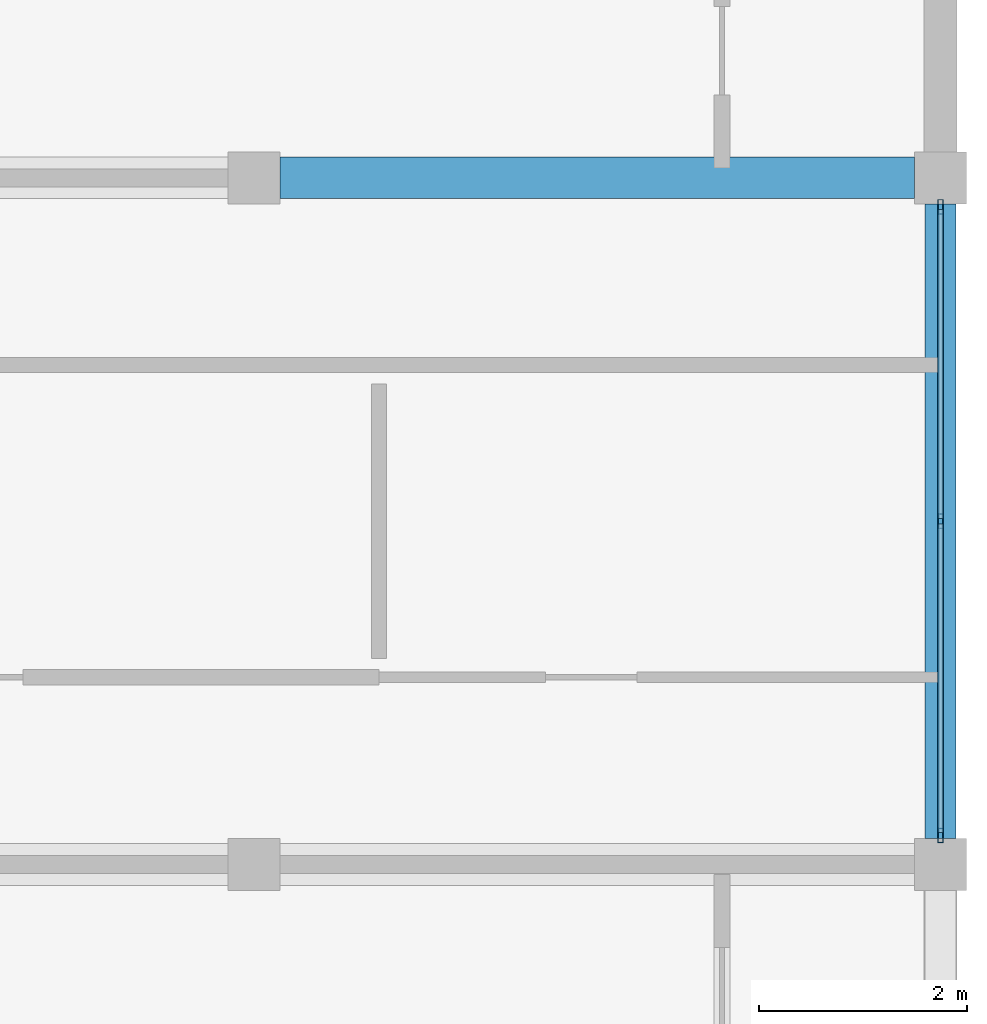
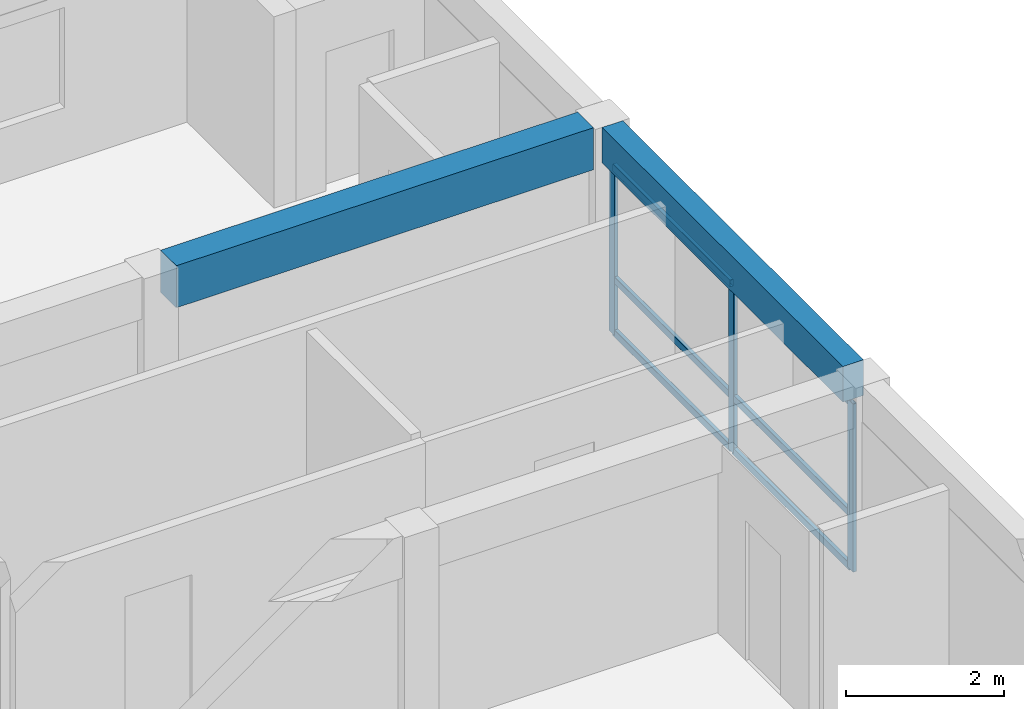
# One storey, part 21 of 45: 9 members, 2 beams, 1 element without a shape of its own.
"""IFC4 building model written with IfcOpenShell, lengths in metres."""

from ifc_helpers import new_model, si_unit, direction, frame, origin, origin_2d, place, context, subcontext, project, spatial, rectangle, hollow_rectangle, extrude, material, material_profile, profile_set, type_object, element, aggregate, save


model = new_model("IFC4")

# Units and contexts
model_context = context("Model", 3, precision=1e-05, world=origin(), true_north=direction((0.0, 1.0)))
body_context = subcontext(model_context, "Body", "Model", "MODEL_VIEW")
ifc_project = project(units=[si_unit("LENGTHUNIT", "METRE"), si_unit("AREAUNIT", "SQUARE_METRE"), si_unit("VOLUMEUNIT", "CUBIC_METRE"), si_unit("PLANEANGLEUNIT", "RADIAN"), si_unit("MASSUNIT", "GRAM", prefix="KILO")], contexts=[model_context])

# Site, building, storey
site_placement = place(None, origin())
site = spatial("IfcSite", under=ifc_project, at=site_placement, CompositionType="ELEMENT")
building_placement = place(site_placement, origin())
building = spatial("IfcBuilding", under=site, at=building_placement, Name="Kernevlak Ridge Housing Community", CompositionType="ELEMENT")
storey_placement = place(building_placement, frame((0.0, 0.0, 21.199951171875)))
storey = spatial("IfcBuildingStorey", under=building, at=storey_placement, Name="L06", CompositionType="ELEMENT", Elevation=21.199951171875)

# Beam
ifc_material_1 = material(Name="Concrete C35/45", Category="concrete")
ifc_material_profile_1 = material_profile(ifc_material_1, rectangle(XDim=0.39990234375, YDim=0.64990234375, at=origin_2d()), Name="RC 400x650")
ifc_profile_set_1 = profile_set([ifc_material_profile_1], Name="Concrete C35/45")
beam_type_1 = type_object("IfcBeamType", Name="B-03", PredefinedType="T_BEAM", material=ifc_profile_set_1)
beam_1_placement = place(storey_placement, frame((146.050048828125, 95.800048828125, 2.875), z_axis=(1.0, 0.0, 0.0), x_axis=(0.0, 1.0, 0.0)))
element("IfcBeam", 1, at=beam_1_placement, inside=storey, type_object=beam_type_1, Name="Beam B-03 L06 747", PredefinedType="T_BEAM", context=body_context, shape_type="SweptSolid", body=[
    extrude(rectangle(XDim=0.39990234375, YDim=0.64990234375, at=origin_2d()), origin(), (0.0, 0.0, 1.0), 6.099853515625),
])

# Curtain wall, members
ifc_material_2 = material(Name="Aluminium EN AW-6060 anodised and laminated glass", Category="aluminium")
curtain_wall_type = type_object("IfcCurtainWallType", Name="CW-14", PredefinedType="NOTDEFINED", material=ifc_material_2)
curtain_wall_placement = place(storey_placement, origin())
curtain_wall = element("IfcCurtainWall", 2, at=curtain_wall_placement, inside=storey, type_object=curtain_wall_type, Name="Curtain wall CW-14 CW-L06-075", PredefinedType="NOTDEFINED")
ifc_material_3 = material(Name="Aluminium EN AW-6060 anodised", Category="aluminium")
ifc_material_profile_2 = material_profile(ifc_material_3, hollow_rectangle(XDim=0.054931640625, YDim=0.139892578125, WallThickness=0.00390625, InnerFilletRadius=0.001953125, OuterFilletRadius=0.00390625, at=origin_2d()), Name="ALU 55x140x4")
ifc_profile_set_2 = profile_set([ifc_material_profile_2], Name="Aluminium EN AW-6060 anodised")
member_type_1 = type_object("IfcMemberType", Name="MU-01", PredefinedType="MULLION", material=ifc_profile_set_2)
member_1_placement = place(storey_placement, frame((152.39990234375, 89.4775390625, 0.0), z_axis=(0.0, 0.0, 1.0), x_axis=(-1.0, 0.0, 0.0)))
member_1 = element("IfcMember", 3, at=member_1_placement, type_object=member_type_1, Name="CW-14 mullion 1", PredefinedType="MULLION", context=body_context, shape_type="SweptSolid", body=[
    extrude(hollow_rectangle(XDim=0.054931640625, YDim=0.139892578125, WallThickness=0.00390625, InnerFilletRadius=0.001953125, OuterFilletRadius=0.00390625, at=origin_2d()), origin(), (0.0, 0.0, 1.0), 2.60009765625),
])
member_2_placement = place(storey_placement, frame((152.39990234375, 92.5, 0.0), z_axis=(0.0, 0.0, 1.0), x_axis=(-1.0, 0.0, 0.0)))
member_2 = element("IfcMember", 4, at=member_2_placement, type_object=member_type_1, Name="CW-14 mullion 2", PredefinedType="MULLION", context=body_context, shape_type="SweptSolid", body=[
    extrude(hollow_rectangle(XDim=0.054931640625, YDim=0.139892578125, WallThickness=0.00390625, InnerFilletRadius=0.001953125, OuterFilletRadius=0.00390625, at=origin_2d()), origin(), (0.0, 0.0, 1.0), 2.60009765625),
])
member_3_placement = place(storey_placement, frame((152.39990234375, 95.5224609375, 0.0), z_axis=(0.0, 0.0, 1.0), x_axis=(-1.0, 0.0, 0.0)))
member_3 = element("IfcMember", 5, at=member_3_placement, type_object=member_type_1, Name="CW-14 mullion 3", PredefinedType="MULLION", context=body_context, shape_type="SweptSolid", body=[
    extrude(hollow_rectangle(XDim=0.054931640625, YDim=0.139892578125, WallThickness=0.00390625, InnerFilletRadius=0.001953125, OuterFilletRadius=0.00390625, at=origin_2d()), origin(), (0.0, 0.0, 1.0), 2.60009765625),
])

# Beam
ifc_material_profile_3 = material_profile(ifc_material_1, rectangle(XDim=0.300048828125, YDim=0.550048828125, at=origin_2d()), Name="RC 300x550")
ifc_profile_set_3 = profile_set([ifc_material_profile_3], Name="Concrete C35/45")
beam_type_2 = type_object("IfcBeamType", Name="SP-01", PredefinedType="SPANDREL", material=ifc_profile_set_3)
beam_2_placement = place(storey_placement, frame((152.39990234375, 89.449951171875, 2.925048828125), z_axis=(0.0, 1.0, 0.0), x_axis=(-1.0, 0.0, 0.0)))
element("IfcBeam", 6, at=beam_2_placement, inside=storey, type_object=beam_type_2, Name="Beam SP-01 L06 757", PredefinedType="SPANDREL", context=body_context, shape_type="SweptSolid", body=[
    extrude(rectangle(XDim=0.300048828125, YDim=0.550048828125, at=origin_2d()), origin(), (0.0, 0.0, 1.0), 6.10009765625),
])

# Member
ifc_material_profile_4 = material_profile(ifc_material_3, hollow_rectangle(XDim=0.054931640625, YDim=0.110107421875, WallThickness=0.00390625, InnerFilletRadius=0.001953125, OuterFilletRadius=0.00390625, at=origin_2d()), Name="ALU 55x110x4")
ifc_profile_set_4 = profile_set([ifc_material_profile_4], Name="Aluminium EN AW-6060 anodised")
member_type_2 = type_object("IfcMemberType", Name="TM-01", PredefinedType="USERDEFINED", material=ifc_profile_set_4)
member_4_placement = place(storey_placement, frame((152.39990234375, 89.5048828125, 0.027587890625), z_axis=(0.0, 1.0, 0.0), x_axis=(-1.0, 0.0, 0.0)))
member_4 = element("IfcMember", 7, at=member_4_placement, type_object=member_type_2, Name="CW-14 transom 1.1", ObjectType="TRANSOM", PredefinedType="USERDEFINED", context=body_context, shape_type="SweptSolid", body=[
    extrude(hollow_rectangle(XDim=0.054931640625, YDim=0.110107421875, WallThickness=0.00390625, InnerFilletRadius=0.001953125, OuterFilletRadius=0.00390625, at=origin_2d()), origin(), (0.0, 0.0, 1.0), 2.967529296875),
])

member_5_placement = place(storey_placement, frame((152.39990234375, 89.5048828125, 0.85009765625), z_axis=(0.0, 1.0, 0.0), x_axis=(-1.0, 0.0, 0.0)))
member_5 = element("IfcMember", 8, at=member_5_placement, type_object=member_type_2, Name="CW-14 transom 1.2", ObjectType="TRANSOM", PredefinedType="USERDEFINED", context=body_context, shape_type="SweptSolid", body=[
    extrude(hollow_rectangle(XDim=0.054931640625, YDim=0.110107421875, WallThickness=0.00390625, InnerFilletRadius=0.001953125, OuterFilletRadius=0.00390625, at=origin_2d()), origin(), (0.0, 0.0, 1.0), 2.967529296875),
])

member_6_placement = place(storey_placement, frame((152.39990234375, 89.5048828125, 2.572509765625), z_axis=(0.0, 1.0, 0.0), x_axis=(-1.0, 0.0, 0.0)))
member_6 = element("IfcMember", 9, at=member_6_placement, type_object=member_type_2, Name="CW-14 transom 1.3", ObjectType="TRANSOM", PredefinedType="USERDEFINED", context=body_context, shape_type="SweptSolid", body=[
    extrude(hollow_rectangle(XDim=0.054931640625, YDim=0.110107421875, WallThickness=0.00390625, InnerFilletRadius=0.001953125, OuterFilletRadius=0.00390625, at=origin_2d()), origin(), (0.0, 0.0, 1.0), 2.967529296875),
])

member_7_placement = place(storey_placement, frame((152.39990234375, 92.527587890625, 0.027587890625), z_axis=(0.0, 1.0, 0.0), x_axis=(-1.0, 0.0, 0.0)))
member_7 = element("IfcMember", 10, at=member_7_placement, type_object=member_type_2, Name="CW-14 transom 2.1", ObjectType="TRANSOM", PredefinedType="USERDEFINED", context=body_context, shape_type="SweptSolid", body=[
    extrude(hollow_rectangle(XDim=0.054931640625, YDim=0.110107421875, WallThickness=0.00390625, InnerFilletRadius=0.001953125, OuterFilletRadius=0.00390625, at=origin_2d()), origin(), (0.0, 0.0, 1.0), 2.967529296875),
])

member_8_placement = place(storey_placement, frame((152.39990234375, 92.527587890625, 0.85009765625), z_axis=(0.0, 1.0, 0.0), x_axis=(-1.0, 0.0, 0.0)))
member_8 = element("IfcMember", 11, at=member_8_placement, type_object=member_type_2, Name="CW-14 transom 2.2", ObjectType="TRANSOM", PredefinedType="USERDEFINED", context=body_context, shape_type="SweptSolid", body=[
    extrude(hollow_rectangle(XDim=0.054931640625, YDim=0.110107421875, WallThickness=0.00390625, InnerFilletRadius=0.001953125, OuterFilletRadius=0.00390625, at=origin_2d()), origin(), (0.0, 0.0, 1.0), 2.967529296875),
])

member_9_placement = place(storey_placement, frame((152.39990234375, 92.527587890625, 2.572509765625), z_axis=(0.0, 1.0, 0.0), x_axis=(-1.0, 0.0, 0.0)))
member_9 = element("IfcMember", 12, at=member_9_placement, type_object=member_type_2, Name="CW-14 transom 2.3", ObjectType="TRANSOM", PredefinedType="USERDEFINED", context=body_context, shape_type="SweptSolid", body=[
    extrude(hollow_rectangle(XDim=0.054931640625, YDim=0.110107421875, WallThickness=0.00390625, InnerFilletRadius=0.001953125, OuterFilletRadius=0.00390625, at=origin_2d()), origin(), (0.0, 0.0, 1.0), 2.967529296875),
])

aggregate(curtain_wall, [member_1, member_2, member_3, member_4, member_5, member_6, member_7, member_8, member_9])

save(model, "model.ifc")
